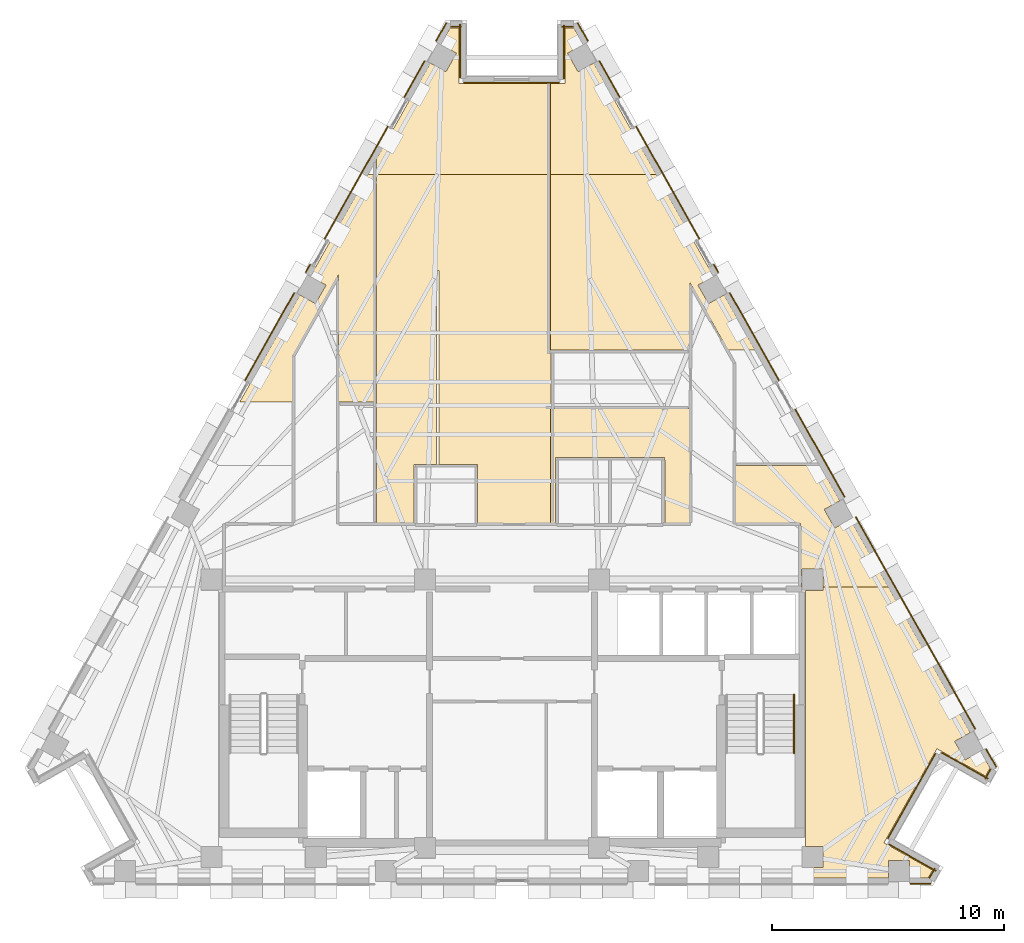
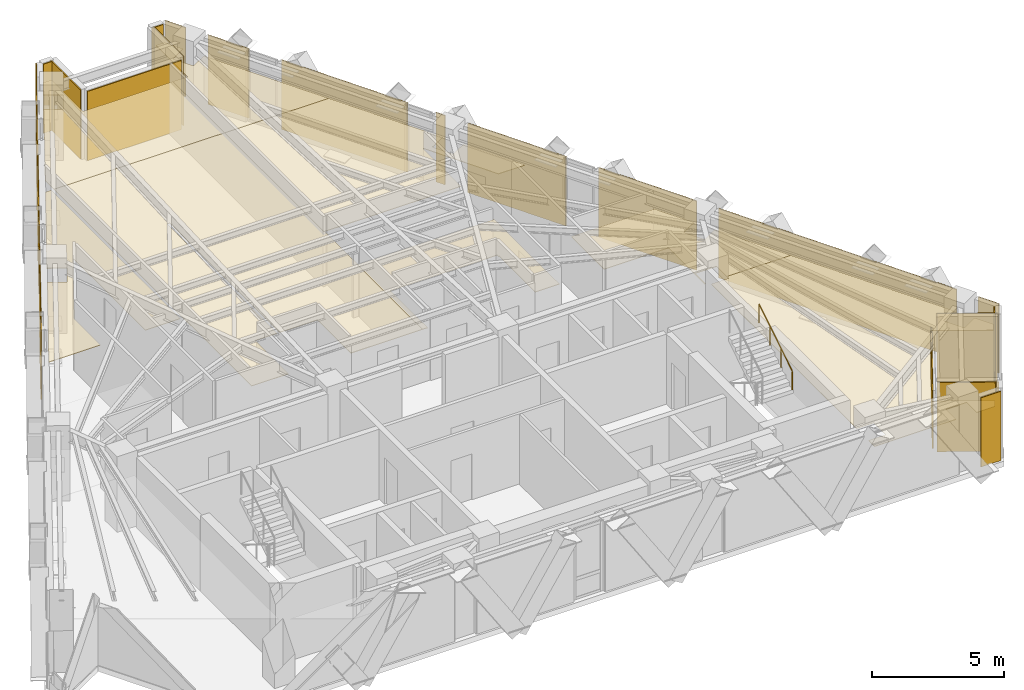
# One storey, part 12 of 12: 32 coverings, 1 railing.
"""IFC4 building model written with IfcOpenShell, lengths in metres."""

from ifc_helpers import new_model, si_unit, direction, frame, origin, origin_2d, place, context, subcontext, project, spatial, polyline, circle, outline, extrude, material, layer, layer_set, type_object, element, save


model = new_model("IFC4")

# Units and contexts
model_context = context("Model", 3, precision=1e-05, world=origin(), true_north=direction((0.0, 1.0)))
body_context = subcontext(model_context, "Body", "Model", "MODEL_VIEW")
ifc_project = project(units=[si_unit("LENGTHUNIT", "METRE"), si_unit("AREAUNIT", "SQUARE_METRE"), si_unit("VOLUMEUNIT", "CUBIC_METRE"), si_unit("PLANEANGLEUNIT", "RADIAN"), si_unit("MASSUNIT", "GRAM", prefix="KILO")], contexts=[model_context])

# Site, building, storey
site_placement = place(None, origin())
site = spatial("IfcSite", under=ifc_project, at=site_placement, CompositionType="ELEMENT")
building_placement = place(site_placement, origin())
building = spatial("IfcBuilding", under=site, at=building_placement, Name="Quenlor Broadcast Tower", CompositionType="ELEMENT")
storey_placement = place(building_placement, frame((0.0, 0.0, 211.39990234375)))
storey = spatial("IfcBuildingStorey", under=building, at=storey_placement, Name="L58", CompositionType="ELEMENT", Elevation=211.39990234375)

# Coverings
ifc_material_1 = material(Name="Acoustic Mineral Fibre Board", Category="other")
ifc_layer_1 = layer(ifc_material_1, 0.02490234375)
ifc_layer_set_1 = layer_set([ifc_layer_1], Name="Acoustic Perforated Mineral Tile Ceiling 25")
covering_type_1 = type_object("IfcCoveringType", Name="Acoustic Perforated Mineral Tile Ceiling 25", PredefinedType="CEILING", material=ifc_layer_set_1)
covering_1_placement = place(storey_placement, frame((0.0, 0.0, 2.375)))
element("IfcCovering", 1, at=covering_1_placement, inside=storey, type_object=covering_type_1, Name="L58 Acoustic Ceiling L58-24", PredefinedType="CEILING", context=body_context, shape_type="SweptSolid", body=[
    extrude(outline(polyline([(1.64990234375, 5.099853515625), (1.64990234375, 12.64990234375), (6.21923828125, 12.64990234375), (8.685302734375, 8.26611328125), (8.015869140625, 7.889404296875), (8.465087890625, 7.09130859375), (9.13427734375, 7.4677734375), (10.314208984375, 5.3701171875), (10.46630859375, 5.099853515625), (9.2958984375, 5.099853515625), (9.15478515625, 5.3505859375), (7.659912109375, 8.00830078125), (7.659912109375, 5.099853515625), (1.64990234375, 5.099853515625)])), origin(), (0.0, 0.0, 1.0), 0.025146484375),
])
covering_2_placement = place(storey_placement, frame((0.0, 0.0, 2.375)))
element("IfcCovering", 2, at=covering_2_placement, inside=storey, type_object=covering_type_1, Name="L58 Acoustic Ceiling L58-24-2", PredefinedType="CEILING", context=body_context, shape_type="SweptSolid", body=[
    extrude(outline(polyline([(1.64990234375, 16.572021484375), (2.2861328125, 16.572021484375), (2.2861328125, 18.971923828125), (2.6630859375, 18.971923828125), (3.066162109375, 18.255615234375), (2.396728515625, 17.87890625), (2.845947265625, 17.08056640625), (3.515380859375, 17.45703125), (6.21923828125, 12.64990234375), (1.64990234375, 12.64990234375), (1.64990234375, 16.572021484375)])), origin(), (0.0, 0.0, 1.0), 0.025146484375),
])
covering_3_placement = place(storey_placement, frame((0.0, 0.0, 2.375)))
element("IfcCovering", 3, at=covering_3_placement, inside=storey, type_object=covering_type_1, Name="L58 Acoustic Ceiling L58-25", PredefinedType="CEILING", context=body_context, shape_type="SweptSolid", body=[
    extrude(outline(polyline([(1.679931640625, -2.3701171875), (-1.47998046875, -2.3701171875), (-1.47998046875, 0.169921875), (-3.139892578125, 0.169921875), (-3.139892578125, 8.522705078125), (-3.260009765625, 8.522705078125), (-3.260009765625, 0.169921875), (-4.219970703125, 0.169921875), (-4.219970703125, -2.3701171875), (-5.830078125, -2.3701171875), (-5.830078125, 12.64990234375), (1.679931640625, 12.64990234375), (1.679931640625, -2.3701171875)])), origin(), (0.0, 0.0, 1.0), 0.025146484375),
])
covering_4_placement = place(storey_placement, frame((0.0, 0.0, 2.375)))
element("IfcCovering", 4, at=covering_4_placement, inside=storey, type_object=covering_type_1, Name="L58 Acoustic Ceiling L58-25-2", PredefinedType="CEILING", context=body_context, shape_type="SweptSolid", body=[
    extrude(outline(polyline([(1.679931640625, 16.572021484375), (1.679931640625, 12.64990234375), (-5.830078125, 12.64990234375), (-5.830078125, 13.342041015625), (-3.515380859375, 17.45703125), (-2.845947265625, 17.08056640625), (-2.396728515625, 17.87890625), (-3.066162109375, 18.255615234375), (-2.6630859375, 18.971923828125), (-2.2861328125, 18.971923828125), (-2.2861328125, 16.572021484375), (1.679931640625, 16.572021484375)])), origin(), (0.0, 0.0, 1.0), 0.025146484375),
])
covering_5_placement = place(storey_placement, frame((0.0, 0.0, 2.375)))
element("IfcCovering", 5, at=covering_5_placement, inside=storey, type_object=covering_type_1, Name="L58 Acoustic Ceiling L58-26", PredefinedType="CEILING", context=body_context, shape_type="SweptSolid", body=[
    extrude(outline(polyline([(-7.47998046875, 2.846435546875), (-7.47998046875, 8.328125), (-9.43994140625, 4.84375), (-9.43994140625, 2.846435546875), (-11.73388671875, 2.846435546875), (-9.13427734375, 7.4677734375), (-8.465087890625, 7.09130859375), (-8.015869140625, 7.889404296875), (-8.685302734375, 8.26611328125), (-6.21923828125, 12.64990234375), (-5.949951171875, 12.64990234375), (-5.949951171875, 2.846435546875), (-7.47998046875, 2.846435546875)])), origin(), (0.0, 0.0, 1.0), 0.025146484375),
])
covering_6_placement = place(storey_placement, frame((0.0, 0.0, 2.375)))
element("IfcCovering", 6, at=covering_6_placement, inside=storey, type_object=covering_type_1, Name="L58 Acoustic Ceiling L58-29", PredefinedType="CEILING", context=body_context, shape_type="SweptSolid", body=[
    extrude(outline(polyline([(6.586181640625, 0.364013671875), (6.570068359375, 0.35009765625), (6.570068359375, 0.469970703125), (1.8798828125, 0.469970703125), (1.8798828125, -2.3701171875), (1.64990234375, -2.3701171875), (1.64990234375, 2.56640625), (7.659912109375, 2.56640625), (7.659912109375, -2.3701171875), (6.60009765625, -2.3701171875), (6.60009765625, 0.38037109375), (6.586181640625, 0.364013671875)])), origin(), (0.0, 0.0, 1.0), 0.025146484375),
])
covering_7_placement = place(storey_placement, frame((0.0, 0.0, 2.375)))
element("IfcCovering", 7, at=covering_7_placement, inside=storey, type_object=covering_type_1, Name="L58 Acoustic Ceiling L58-31-2", PredefinedType="CEILING", context=body_context, shape_type="SweptSolid", body=[
    extrude(outline(polyline([(13.407958984375, -4.342041015625), (12.491943359375, -4.342041015625), (12.491943359375, -5.1201171875), (12.43994140625, -5.1201171875), (12.43994140625, -2.3701171875), (9.6201171875, -2.3701171875), (9.6201171875, 0.128662109375), (13.262451171875, 0.128662109375), (14.123046875, -1.401123046875), (13.45361328125, -1.777587890625), (13.90283203125, -2.575927734375), (14.572021484375, -2.199462890625), (16.21484375, -5.1201171875), (13.407958984375, -5.1201171875), (13.407958984375, -4.342041015625)])), origin(), (0.0, 0.0, 1.0), 0.025146484375),
])
covering_8_placement = place(storey_placement, frame((0.0, 0.0, 2.375)))
element("IfcCovering", 8, at=covering_8_placement, inside=storey, type_object=covering_type_1, Name="L58 Acoustic Ceiling L58-31-4", PredefinedType="CEILING", context=body_context, shape_type="SweptSolid", body=[
    extrude(outline(polyline([(13.407958984375, -17.2080078125), (13.407958984375, -16.2919921875), (12.64990234375, -16.2919921875), (12.64990234375, -5.258056640625), (13.407958984375, -5.258056640625), (13.407958984375, -5.1201171875), (16.21484375, -5.1201171875), (19.7421875, -11.390625), (19.07275390625, -11.76708984375), (19.52197265625, -12.5654296875), (20.191162109375, -12.18896484375), (20.597900390625, -12.912109375), (20.400390625, -13.26318359375), (18.30859375, -12.08642578125), (16.029052734375, -16.138916015625), (18.120849609375, -17.315673828125), (17.927001953125, -17.659912109375), (17.1337890625, -17.659912109375), (17.1337890625, -16.89208984375), (16.218017578125, -16.89208984375), (16.218017578125, -17.659912109375), (12.64990234375, -17.659912109375), (12.64990234375, -17.2080078125), (13.407958984375, -17.2080078125)])), origin(), (0.0, 0.0, 1.0), 0.025146484375),
])
ifc_material_2 = material(Name="Architectural Terracotta Ceramic", Category="masonry")
ifc_layer_2 = layer(ifc_material_2, 0.044921875)
ifc_layer_set_2 = layer_set([ifc_layer_2], Name="Fluted Terracotta Rainscreen Cladding Panel")
covering_type_2 = type_object("IfcCoveringType", Name="Fluted Terracotta Rainscreen Cladding Panel", PredefinedType="CLADDING", material=ifc_layer_set_2)
covering_9_placement = place(storey_placement, frame((0.0, 0.0, 0.02001953125)))
element("IfcCovering", 9, at=covering_9_placement, inside=storey, type_object=covering_type_2, Name="L58 Terracotta Rainscreen Cladding L58-SHD-SS0", PredefinedType="CLADDING", context=body_context, shape_type="SweptSolid", body=[
    extrude(outline(polyline([(18.035888671875, -17.886962890625), (17.160888671875, -17.886962890625), (17.160888671875, -17.931884765625), (18.035888671875, -17.931884765625), (18.035888671875, -17.886962890625)])), origin(), (0.0, 0.0, 1.0), 3.2099609375),
])
covering_10_placement = place(storey_placement, frame((0.0, 0.0, 0.02001953125)))
element("IfcCovering", 10, at=covering_10_placement, inside=storey, type_object=covering_type_2, Name="L58 Terracotta Rainscreen Cladding L58-SHD-NES0", PredefinedType="CLADDING", context=body_context, shape_type="SweptSolid", body=[
    extrude(outline(polyline([(2.8076171875, 19.17822265625), (3.250732421875, 18.390380859375), (3.2900390625, 18.412353515625), (2.8466796875, 19.2001953125), (2.8076171875, 19.17822265625)])), origin(), (0.0, 0.0, 1.0), 3.2099609375),
])
covering_11_placement = place(storey_placement, frame((0.0, 0.0, 0.02001953125)))
element("IfcCovering", 11, at=covering_11_placement, inside=storey, type_object=covering_type_2, Name="L58 Terracotta Rainscreen Cladding L58-SHD-NES1", PredefinedType="CLADDING", context=body_context, shape_type="SweptSolid", body=[
    extrude(outline(polyline([(20.402099609375, -12.10107421875), (20.845458984375, -12.888916015625), (20.884521484375, -12.866943359375), (20.44140625, -12.0791015625), (20.402099609375, -12.10107421875)])), origin(), (0.0, 0.0, 1.0), 3.2099609375),
])
covering_12_placement = place(storey_placement, frame((0.0, 0.0, 0.02001953125)))
element("IfcCovering", 12, at=covering_12_placement, inside=storey, type_object=covering_type_2, Name="L58 Terracotta Rainscreen Cladding L58-NEA-SP1", PredefinedType="CLADDING", context=body_context, shape_type="SweptSolid", body=[
    extrude(outline(polyline([(3.744873046875, 17.532470703125), (4.625, 15.967529296875), (4.664306640625, 15.989501953125), (3.7841796875, 17.554443359375), (3.744873046875, 17.532470703125)])), origin(), (0.0, 0.0, 1.0), 3.2099609375),
])
covering_13_placement = place(storey_placement, frame((0.0, 0.0, 0.02001953125)))
element("IfcCovering", 13, at=covering_13_placement, inside=storey, type_object=covering_type_2, Name="L58 Terracotta Rainscreen Cladding L58-NEA-SP2", PredefinedType="CLADDING", context=body_context, shape_type="SweptSolid", body=[
    extrude(outline(polyline([(5.3291015625, 14.716064453125), (8.05419921875, 9.871337890625), (8.09326171875, 9.893310546875), (5.368408203125, 14.738037109375), (5.3291015625, 14.716064453125)])), origin(), (0.0, 0.0, 1.0), 3.2099609375),
])
covering_14_placement = place(storey_placement, frame((0.0, 0.0, 0.02001953125)))
element("IfcCovering", 14, at=covering_14_placement, inside=storey, type_object=covering_type_2, Name="L58 Terracotta Rainscreen Cladding L58-NEA-SP3", PredefinedType="CLADDING", context=body_context, shape_type="SweptSolid", body=[
    extrude(outline(polyline([(8.672607421875, 8.77197265625), (8.86865234375, 8.42333984375), (8.907958984375, 8.4453125), (8.7119140625, 8.7939453125), (8.672607421875, 8.77197265625)])), origin(), (0.0, 0.0, 1.0), 3.2099609375),
])
covering_15_placement = place(storey_placement, frame((0.0, 0.0, 0.02001953125)))
element("IfcCovering", 15, at=covering_15_placement, inside=storey, type_object=covering_type_2, Name="L58 Terracotta Rainscreen Cladding L58-EW-NEC", PredefinedType="CLADDING", context=body_context, shape_type="SweptSolid", body=[
    extrude(outline(polyline([(14.7919921875, -2.106689453125), (19.935302734375, -11.250732421875), (19.974609375, -11.228759765625), (14.831298828125, -2.084716796875), (14.7919921875, -2.106689453125)])), origin(), (0.0, 0.0, 1.0), 3.2099609375),
])
covering_16_placement = place(storey_placement, frame((0.0, 0.0, 0.02001953125)))
element("IfcCovering", 16, at=covering_16_placement, inside=storey, type_object=covering_type_2, Name="L58 Terracotta Rainscreen Cladding L58-NE-SP1", PredefinedType="CLADDING", context=body_context, shape_type="SweptSolid", body=[
    extrude(outline(polyline([(9.361328125, 7.54736328125), (11.483154296875, 3.775390625), (11.5224609375, 3.79736328125), (9.400634765625, 7.5693359375), (9.361328125, 7.54736328125)])), origin(), (0.0, 0.0, 1.0), 3.2099609375),
])
covering_17_placement = place(storey_placement, frame((0.0, 0.0, 0.02001953125)))
element("IfcCovering", 17, at=covering_17_placement, inside=storey, type_object=covering_type_2, Name="L58 Terracotta Rainscreen Cladding L58-NE-SP2", PredefinedType="CLADDING", context=body_context, shape_type="SweptSolid", body=[
    extrude(outline(polyline([(12.187255859375, 2.523681640625), (14.30908203125, -1.248291015625), (14.34814453125, -1.226318359375), (12.2265625, 2.5458984375), (12.187255859375, 2.523681640625)])), origin(), (0.0, 0.0, 1.0), 3.2099609375),
])
covering_18_placement = place(storey_placement, frame((0.0, 0.0, 0.02001953125)))
element("IfcCovering", 18, at=covering_18_placement, inside=storey, type_object=covering_type_2, Name="L58 Terracotta Rainscreen Cladding L58-SHD-NWS1", PredefinedType="CLADDING", context=body_context, shape_type="SweptSolid", body=[
    extrude(outline(polyline([(-3.250732421875, 18.390380859375), (-2.8076171875, 19.17822265625), (-2.8466796875, 19.2001953125), (-3.2900390625, 18.412353515625), (-3.250732421875, 18.390380859375)])), origin(), (0.0, 0.0, 1.0), 3.2099609375),
])
covering_19_placement = place(storey_placement, frame((0.0, 0.0, 0.02001953125)))
element("IfcCovering", 19, at=covering_19_placement, inside=storey, type_object=covering_type_2, Name="L58 Terracotta Rainscreen Cladding L58-NWC-SP1", PredefinedType="CLADDING", context=body_context, shape_type="SweptSolid", body=[
    extrude(outline(polyline([(-8.86865234375, 8.42333984375), (-8.672607421875, 8.77197265625), (-8.7119140625, 8.7939453125), (-8.907958984375, 8.4453125), (-8.86865234375, 8.42333984375)])), origin(), (0.0, 0.0, 1.0), 3.2099609375),
])
covering_20_placement = place(storey_placement, frame((0.0, 0.0, 0.02001953125)))
element("IfcCovering", 20, at=covering_20_placement, inside=storey, type_object=covering_type_2, Name="L58 Terracotta Rainscreen Cladding L58-NWC-SP2", PredefinedType="CLADDING", context=body_context, shape_type="SweptSolid", body=[
    extrude(outline(polyline([(-8.05419921875, 9.871337890625), (-5.3291015625, 14.716064453125), (-5.368408203125, 14.738037109375), (-8.09326171875, 9.893310546875), (-8.05419921875, 9.871337890625)])), origin(), (0.0, 0.0, 1.0), 3.2099609375),
])
covering_21_placement = place(storey_placement, frame((0.0, 0.0, 0.02001953125)))
element("IfcCovering", 21, at=covering_21_placement, inside=storey, type_object=covering_type_2, Name="L58 Terracotta Rainscreen Cladding L58-NWC-SP3", PredefinedType="CLADDING", context=body_context, shape_type="SweptSolid", body=[
    extrude(outline(polyline([(-4.625, 15.967529296875), (-3.744873046875, 17.532470703125), (-3.7841796875, 17.554443359375), (-4.664306640625, 15.989501953125), (-4.625, 15.967529296875)])), origin(), (0.0, 0.0, 1.0), 3.2099609375),
])
covering_22_placement = place(storey_placement, frame((0.0, 0.0, 0.02001953125)))
element("IfcCovering", 22, at=covering_22_placement, inside=storey, type_object=covering_type_2, Name="L58 Terracotta Rainscreen Cladding L58-NW-SP2", PredefinedType="CLADDING", context=body_context, shape_type="SweptSolid", body=[
    extrude(outline(polyline([(-11.483154296875, 3.775390625), (-9.361328125, 7.54736328125), (-9.400634765625, 7.5693359375), (-11.5224609375, 3.79736328125), (-11.483154296875, 3.775390625)])), origin(), (0.0, 0.0, 1.0), 3.2099609375),
])
covering_23_placement = place(storey_placement, frame((0.0, 0.0, 0.02001953125)))
element("IfcCovering", 23, at=covering_23_placement, inside=storey, type_object=covering_type_2, Name="L58 Terracotta Rainscreen Cladding L58-CNR-01", PredefinedType="CLADDING", context=body_context, shape_type="SweptSolid", body=[
    extrude(outline(polyline([(18.284912109375, -17.329833984375), (16.245361328125, -16.1826171875), (16.223388671875, -16.2216796875), (18.262939453125, -17.368896484375), (18.284912109375, -17.329833984375)])), origin(), (0.0, 0.0, 1.0), 3.2099609375),
])
covering_24_placement = place(storey_placement, frame((0.0, 0.0, 0.02001953125)))
element("IfcCovering", 24, at=covering_24_placement, inside=storey, type_object=covering_type_2, Name="L58 Terracotta Rainscreen Cladding L58-CNR-02", PredefinedType="CLADDING", context=body_context, shape_type="SweptSolid", body=[
    extrude(outline(polyline([(16.2109375, -15.954345703125), (18.264892578125, -12.302734375), (18.225830078125, -12.28076171875), (16.171630859375, -15.932373046875), (16.2109375, -15.954345703125)])), origin(), (0.0, 0.0, 1.0), 2.681884765625),
])
covering_25_placement = place(storey_placement, frame((0.0, 0.0, 0.02001953125)))
element("IfcCovering", 25, at=covering_25_placement, inside=storey, type_object=covering_type_2, Name="L58 Terracotta Rainscreen Cladding L58-CNR-03", PredefinedType="CLADDING", context=body_context, shape_type="SweptSolid", body=[
    extrude(outline(polyline([(18.493408203125, -12.268310546875), (20.497802734375, -13.39599609375), (20.52001953125, -13.356689453125), (18.515380859375, -12.22900390625), (18.493408203125, -12.268310546875)])), origin(), (0.0, 0.0, 1.0), 3.2099609375),
])
covering_26_placement = place(storey_placement, frame((0.0, 0.0, 0.02001953125)))
element("IfcCovering", 26, at=covering_26_placement, inside=storey, type_object=covering_type_2, Name="L58 Terracotta Rainscreen Cladding L58-CNR-04", PredefinedType="CLADDING", context=body_context, shape_type="SweptSolid", body=[
    extrude(outline(polyline([(20.40576171875, -13.39208984375), (20.64306640625, -12.970458984375), (20.60400390625, -12.948486328125), (20.36669921875, -13.3701171875), (20.40576171875, -13.39208984375)])), origin(), (0.0, 0.0, 1.0), 3.2099609375),
])
covering_27_placement = place(storey_placement, frame((0.0, 0.0, 0.02001953125)))
element("IfcCovering", 27, at=covering_27_placement, inside=storey, type_object=covering_type_2, Name="L58 Terracotta Rainscreen Cladding L58-CNR-06", PredefinedType="CLADDING", context=body_context, shape_type="SweptSolid", body=[
    extrude(outline(polyline([(2.62841796875, 19.0400390625), (2.13623046875, 19.0400390625), (2.13623046875, 18.9951171875), (2.62841796875, 18.9951171875), (2.62841796875, 19.0400390625)])), origin(), (0.0, 0.0, 1.0), 3.2099609375),
])
covering_28_placement = place(storey_placement, frame((0.0, 0.0, 0.02001953125)))
element("IfcCovering", 28, at=covering_28_placement, inside=storey, type_object=covering_type_2, Name="L58 Terracotta Rainscreen Cladding L58-CNR-07", PredefinedType="CLADDING", context=body_context, shape_type="SweptSolid", body=[
    extrude(outline(polyline([(2.21826171875, 19.08203125), (2.21826171875, 16.781982421875), (2.26318359375, 16.781982421875), (2.26318359375, 19.08203125), (2.21826171875, 19.08203125)])), origin(), (0.0, 0.0, 1.0), 3.2099609375),
])
covering_29_placement = place(storey_placement, frame((0.0, 0.0, 0.02001953125)))
element("IfcCovering", 29, at=covering_29_placement, inside=storey, type_object=covering_type_2, Name="L58 Terracotta Rainscreen Cladding L58-CNR-08", PredefinedType="CLADDING", context=body_context, shape_type="SweptSolid", body=[
    extrude(outline(polyline([(2.0361328125, 16.639892578125), (-2.076171875, 16.639892578125), (-2.076171875, 16.594970703125), (2.0361328125, 16.594970703125), (2.0361328125, 16.639892578125)])), origin(), (0.0, 0.0, 1.0), 3.2099609375),
])
covering_30_placement = place(storey_placement, frame((0.0, 0.0, 0.02001953125)))
element("IfcCovering", 30, at=covering_30_placement, inside=storey, type_object=covering_type_2, Name="L58 Terracotta Rainscreen Cladding L58-CNR-09", PredefinedType="CLADDING", context=body_context, shape_type="SweptSolid", body=[
    extrude(outline(polyline([(-2.21826171875, 16.822021484375), (-2.21826171875, 19.1220703125), (-2.26318359375, 19.1220703125), (-2.26318359375, 16.822021484375), (-2.21826171875, 16.822021484375)])), origin(), (0.0, 0.0, 1.0), 3.2099609375),
])
covering_31_placement = place(storey_placement, frame((0.0, 0.0, 0.02001953125)))
element("IfcCovering", 31, at=covering_31_placement, inside=storey, type_object=covering_type_2, Name="L58 Terracotta Rainscreen Cladding L58-CNR-10", PredefinedType="CLADDING", context=body_context, shape_type="SweptSolid", body=[
    extrude(outline(polyline([(-2.17626953125, 19.0400390625), (-2.62841796875, 19.0400390625), (-2.62841796875, 18.9951171875), (-2.17626953125, 18.9951171875), (-2.17626953125, 19.0400390625)])), origin(), (0.0, 0.0, 1.0), 3.2099609375),
])
covering_32_placement = place(storey_placement, frame((0.0, 0.0, 0.02001953125)))
element("IfcCovering", 32, at=covering_32_placement, inside=storey, type_object=covering_type_2, Name="L58 Terracotta Rainscreen Cladding L58-CNR-18", PredefinedType="CLADDING", context=body_context, shape_type="SweptSolid", body=[
    extrude(outline(polyline([(17.99853515625, -17.671630859375), (18.234130859375, -17.2529296875), (18.19482421875, -17.23095703125), (17.959228515625, -17.649658203125), (17.99853515625, -17.671630859375)])), origin(), (0.0, 0.0, 1.0), 3.2099609375),
])

# Railing
ifc_material_3 = material(Name="Anodised Aluminium", Category="aluminium")
railing_type = type_object("IfcRailingType", Name="Stainless Aluminium Wall Handrail 900", PredefinedType="HANDRAIL", material=ifc_material_3)
railing_placement = place(storey_placement, frame((12.14990234375, -12.27001953125, 1.925048828125)))
element("IfcRailing", 33, at=railing_placement, inside=storey, type_object=railing_type, Name="L58 ST-2 stair handrail 2", PredefinedType="HANDRAIL", context=body_context, shape_type="SweptSolid", body=[
    extrude(circle(Radius=0.02392578125, at=origin_2d()), frame((0.0, 0.0, 0.8759765625), z_axis=(0.0, 0.848007534815, 0.529984170421), x_axis=(-1.0, 0.0, 0.0)), (0.0, 0.0, 1.0), 2.9716796875),
    extrude(circle(Radius=0.02099609375, at=origin_2d()), origin(), (0.0, 0.0, 1.0), 0.851806640625),
    extrude(circle(Radius=0.02099609375, at=origin_2d()), frame((0.0, 0.840087890625, 0.52490234375)), (0.0, 0.0, 1.0), 0.851806640625),
    extrude(circle(Radius=0.02099609375, at=origin_2d()), frame((0.0, 1.679931640625, 1.050048828125)), (0.0, 0.0, 1.0), 0.851806640625),
    extrude(circle(Radius=0.02099609375, at=origin_2d()), frame((0.0, 2.52001953125, 1.574951171875)), (0.0, 0.0, 1.0), 0.851806640625),
])

save(model, "model.ifc")
